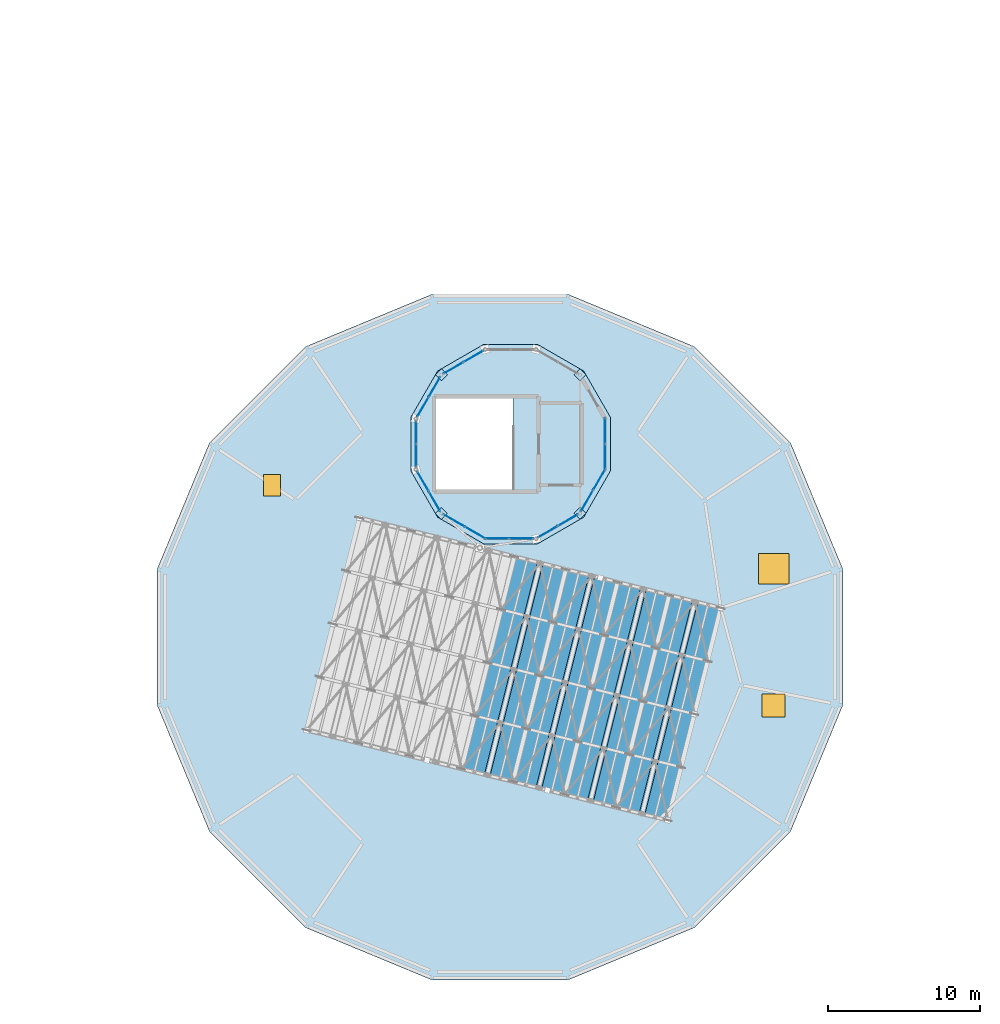
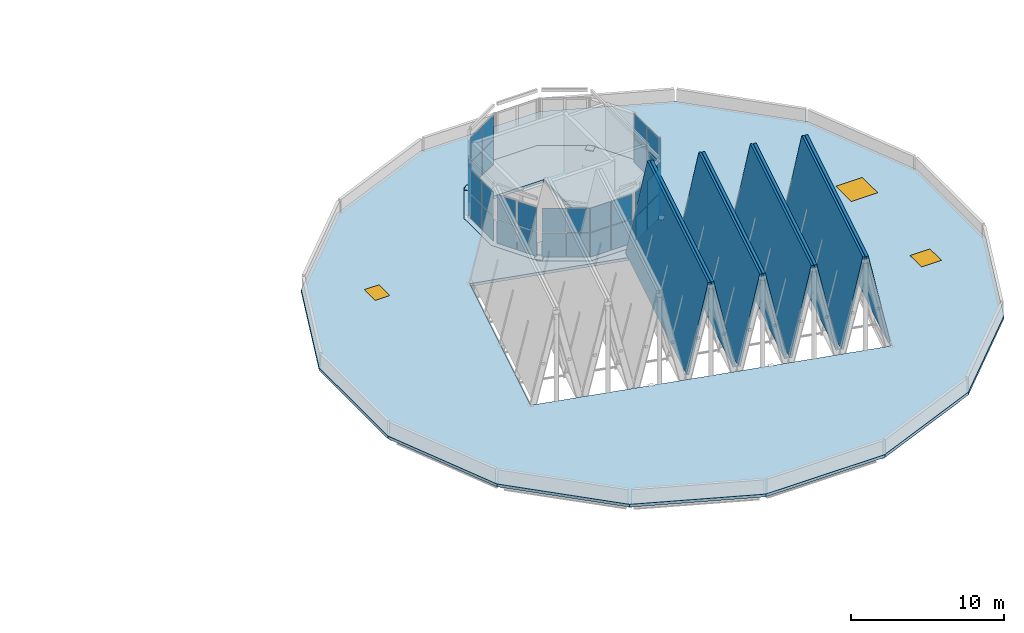
# One storey, part 20 of 51: 40 plates, 10 slabs, 3 windows, 3 openings, 9 elements without a shape of their own.
"""IFC4 building model written with IfcOpenShell, lengths in metres."""

from ifc_helpers import new_model, si_unit, direction, frame, origin, origin_2d, place, context, subcontext, project, spatial, polyline, rectangle, outline, extrude, material, layer, layer_set, type_object, element, fill, aggregate, save


model = new_model("IFC4")

# Units and contexts
model_context = context("Model", 3, precision=1e-05, world=origin(), true_north=direction((0.0, 1.0)))
body_context = subcontext(model_context, "Body", "Model", "MODEL_VIEW")
ifc_project = project(units=[si_unit("LENGTHUNIT", "METRE"), si_unit("AREAUNIT", "SQUARE_METRE"), si_unit("VOLUMEUNIT", "CUBIC_METRE"), si_unit("PLANEANGLEUNIT", "RADIAN"), si_unit("MASSUNIT", "GRAM", prefix="KILO")], contexts=[model_context])

# Site, building, storey
site_placement = place(None, origin())
site = spatial("IfcSite", under=ifc_project, at=site_placement, CompositionType="ELEMENT")
building_placement = place(site_placement, origin())
building = spatial("IfcBuilding", under=site, at=building_placement, Name="Wrenclough Park School", CompositionType="ELEMENT")
storey_placement = place(building_placement, frame((0.0, 0.0, 16.800048828125)))
storey = spatial("IfcBuildingStorey", under=building, at=storey_placement, Name="L04", CompositionType="ELEMENT", Elevation=16.800048828125)

# Curtain wall, plates
ifc_material_1 = material(Name="Thermally broken aluminium and low-e glass curtain wall", Category="aluminium")
curtain_wall_type = type_object("IfcCurtainWallType", Name="ENV-CW-16", PredefinedType="USERDEFINED", material=ifc_material_1)
curtain_wall_1_placement = place(storey_placement, origin())
curtain_wall_1 = element("IfcCurtainWall", 1, at=curtain_wall_1_placement, inside=storey, type_object=curtain_wall_type, Name="D1-SH cylindrical white-glazed stair-head curtain wall 181", ObjectType="CURTAIN WALL", PredefinedType="USERDEFINED")
ifc_material_2 = material(Name="White ceramic-fritted translucent glass", Category="glass")
ifc_layer_1 = layer(ifc_material_2, 0.031982421875)
ifc_layer_set_1 = layer_set([ifc_layer_1], Name="White ceramic-fritted translucent glass")
plate_type_1 = type_object("IfcPlateType", Name="ENV-CWP-WH32", PredefinedType="CURTAIN_PANEL", material=ifc_layer_set_1)
plate_1_placement = place(storey_placement, frame((153.746826171875, 44.9638671875, 0.06005859375), z_axis=(0.0, 0.0, 1.0), x_axis=(-0.866023907196, -0.500002592159, 0.0)))
plate_1 = element("IfcPlate", 2, at=plate_1_placement, type_object=plate_type_1, Name="CW-16 panel 1.1", PredefinedType="CURTAIN_PANEL", context=body_context, shape_type="SweptSolid", body=[
    extrude(rectangle(XDim=1.455078125, YDim=0.031982421875, at=origin_2d()), origin(), (0.0, 0.0, 1.0), 1.909912109375),
])
plate_2_placement = place(storey_placement, frame((153.746826171875, 44.9638671875, 2.02978515625), z_axis=(0.0, 0.0, 1.0), x_axis=(-0.866023907196, -0.500002592159, 0.0)))
plate_2 = element("IfcPlate", 3, at=plate_2_placement, type_object=plate_type_1, Name="CW-16 panel 1.2", PredefinedType="CURTAIN_PANEL", context=body_context, shape_type="SweptSolid", body=[
    extrude(rectangle(XDim=1.455078125, YDim=0.031982421875, at=origin_2d()), origin(), (0.0, 0.0, 1.0), 1.909912109375),
])
plate_3_placement = place(storey_placement, frame((152.434814453125, 44.20654296875, 0.06005859375), z_axis=(0.0, 0.0, 1.0), x_axis=(-0.866023907196, -0.500002592159, 0.0)))
plate_3 = element("IfcPlate", 4, at=plate_3_placement, type_object=plate_type_1, Name="CW-16 panel 2.1", PredefinedType="CURTAIN_PANEL", context=body_context, shape_type="SweptSolid", body=[
    extrude(rectangle(XDim=1.455078125, YDim=0.031982421875, at=origin_2d()), origin(), (0.0, 0.0, 1.0), 1.909912109375),
])
plate_4_placement = place(storey_placement, frame((152.434814453125, 44.20654296875, 2.02978515625), z_axis=(0.0, 0.0, 1.0), x_axis=(-0.866023907196, -0.500002592159, 0.0)))
plate_4 = element("IfcPlate", 5, at=plate_4_placement, type_object=plate_type_1, Name="CW-16 panel 2.2", PredefinedType="CURTAIN_PANEL", context=body_context, shape_type="SweptSolid", body=[
    extrude(rectangle(XDim=1.455078125, YDim=0.031982421875, at=origin_2d()), origin(), (0.0, 0.0, 1.0), 1.909912109375),
])
aggregate(curtain_wall_1, [plate_1, plate_2, plate_3, plate_4])

curtain_wall_2_placement = place(storey_placement, origin())
curtain_wall_2 = element("IfcCurtainWall", 6, at=curtain_wall_2_placement, inside=storey, type_object=curtain_wall_type, Name="D1-SH cylindrical white-glazed stair-head curtain wall 182", ObjectType="CURTAIN WALL", PredefinedType="USERDEFINED")
plate_5_placement = place(storey_placement, frame((151.193603515625, 42.965087890625, 0.06005859375), z_axis=(0.0, 0.0, 1.0), x_axis=(-0.500002592159, -0.866023907196, 0.0)))
plate_5 = element("IfcPlate", 7, at=plate_5_placement, type_object=plate_type_1, Name="CW-16 panel 1.1", PredefinedType="CURTAIN_PANEL", context=body_context, shape_type="SweptSolid", body=[
    extrude(rectangle(XDim=1.455078125, YDim=0.031982421875, at=origin_2d()), origin(), (0.0, 0.0, 1.0), 1.909912109375),
])
plate_6_placement = place(storey_placement, frame((151.193603515625, 42.965087890625, 2.02978515625), z_axis=(0.0, 0.0, 1.0), x_axis=(-0.500002592159, -0.866023907196, 0.0)))
plate_6 = element("IfcPlate", 8, at=plate_6_placement, type_object=plate_type_1, Name="CW-16 panel 1.2", PredefinedType="CURTAIN_PANEL", context=body_context, shape_type="SweptSolid", body=[
    extrude(rectangle(XDim=1.455078125, YDim=0.031982421875, at=origin_2d()), origin(), (0.0, 0.0, 1.0), 1.909912109375),
])
plate_7_placement = place(storey_placement, frame((150.43603515625, 41.653076171875, 0.06005859375), z_axis=(0.0, 0.0, 1.0), x_axis=(-0.500002592159, -0.866023907196, 0.0)))
plate_7 = element("IfcPlate", 9, at=plate_7_placement, type_object=plate_type_1, Name="CW-16 panel 2.1", PredefinedType="CURTAIN_PANEL", context=body_context, shape_type="SweptSolid", body=[
    extrude(rectangle(XDim=1.455078125, YDim=0.031982421875, at=origin_2d()), origin(), (0.0, 0.0, 1.0), 1.909912109375),
])
plate_8_placement = place(storey_placement, frame((150.43603515625, 41.653076171875, 2.02978515625), z_axis=(0.0, 0.0, 1.0), x_axis=(-0.500002592159, -0.866023907196, 0.0)))
plate_8 = element("IfcPlate", 10, at=plate_8_placement, type_object=plate_type_1, Name="CW-16 panel 2.2", PredefinedType="CURTAIN_PANEL", context=body_context, shape_type="SweptSolid", body=[
    extrude(rectangle(XDim=1.455078125, YDim=0.031982421875, at=origin_2d()), origin(), (0.0, 0.0, 1.0), 1.909912109375),
])
aggregate(curtain_wall_2, [plate_5, plate_6, plate_7, plate_8])

curtain_wall_3_placement = place(storey_placement, origin())
curtain_wall_3 = element("IfcCurtainWall", 11, at=curtain_wall_3_placement, inside=storey, type_object=curtain_wall_type, Name="D1-SH cylindrical white-glazed stair-head curtain wall 183", ObjectType="CURTAIN WALL", PredefinedType="USERDEFINED")
plate_9_placement = place(storey_placement, frame((149.981689453125, 39.957275390625, 0.06005859375), z_axis=(0.0, 0.0, 1.0), x_axis=(0.0, -1.0, 0.0)))
plate_9 = element("IfcPlate", 12, at=plate_9_placement, type_object=plate_type_1, Name="CW-16 panel 1.1", PredefinedType="CURTAIN_PANEL", context=body_context, shape_type="SweptSolid", body=[
    extrude(rectangle(XDim=1.45458984375, YDim=0.031982421875, at=origin_2d()), origin(), (0.0, 0.0, 1.0), 1.909912109375),
])
plate_10_placement = place(storey_placement, frame((149.981689453125, 39.957275390625, 2.02978515625), z_axis=(0.0, 0.0, 1.0), x_axis=(0.0, -1.0, 0.0)))
plate_10 = element("IfcPlate", 13, at=plate_10_placement, type_object=plate_type_1, Name="CW-16 panel 1.2", PredefinedType="CURTAIN_PANEL", context=body_context, shape_type="SweptSolid", body=[
    extrude(rectangle(XDim=1.45458984375, YDim=0.031982421875, at=origin_2d()), origin(), (0.0, 0.0, 1.0), 1.909912109375),
])
plate_11_placement = place(storey_placement, frame((149.981689453125, 38.44287109375, 0.06005859375), z_axis=(0.0, 0.0, 1.0), x_axis=(0.0, -1.0, 0.0)))
plate_11 = element("IfcPlate", 14, at=plate_11_placement, type_object=plate_type_1, Name="CW-16 panel 2.1", PredefinedType="CURTAIN_PANEL", context=body_context, shape_type="SweptSolid", body=[
    extrude(rectangle(XDim=1.45458984375, YDim=0.031982421875, at=origin_2d()), origin(), (0.0, 0.0, 1.0), 1.909912109375),
])
plate_12_placement = place(storey_placement, frame((149.981689453125, 38.44287109375, 2.02978515625), z_axis=(0.0, 0.0, 1.0), x_axis=(0.0, -1.0, 0.0)))
plate_12 = element("IfcPlate", 15, at=plate_12_placement, type_object=plate_type_1, Name="CW-16 panel 2.2", PredefinedType="CURTAIN_PANEL", context=body_context, shape_type="SweptSolid", body=[
    extrude(rectangle(XDim=1.45458984375, YDim=0.031982421875, at=origin_2d()), origin(), (0.0, 0.0, 1.0), 1.909912109375),
])
aggregate(curtain_wall_3, [plate_9, plate_10, plate_11, plate_12])

curtain_wall_4_placement = place(storey_placement, origin())
curtain_wall_4 = element("IfcCurtainWall", 16, at=curtain_wall_4_placement, inside=storey, type_object=curtain_wall_type, Name="D1-SH cylindrical white-glazed stair-head curtain wall 184", ObjectType="CURTAIN WALL", PredefinedType="USERDEFINED")
plate_13_placement = place(storey_placement, frame((150.43603515625, 36.746826171875, 0.06005859375), z_axis=(0.0, 0.0, 1.0), x_axis=(0.500002592159, -0.866023907196, 0.0)))
plate_13 = element("IfcPlate", 17, at=plate_13_placement, type_object=plate_type_1, Name="CW-16 panel 1.1", PredefinedType="CURTAIN_PANEL", context=body_context, shape_type="SweptSolid", body=[
    extrude(rectangle(XDim=1.455078125, YDim=0.031982421875, at=origin_2d()), origin(), (0.0, 0.0, 1.0), 1.909912109375),
])
plate_14_placement = place(storey_placement, frame((150.43603515625, 36.746826171875, 2.02978515625), z_axis=(0.0, 0.0, 1.0), x_axis=(0.500002592159, -0.866023907196, 0.0)))
plate_14 = element("IfcPlate", 18, at=plate_14_placement, type_object=plate_type_1, Name="CW-16 panel 1.2", PredefinedType="CURTAIN_PANEL", context=body_context, shape_type="SweptSolid", body=[
    extrude(rectangle(XDim=1.455078125, YDim=0.031982421875, at=origin_2d()), origin(), (0.0, 0.0, 1.0), 1.909912109375),
])
plate_15_placement = place(storey_placement, frame((151.193603515625, 35.434814453125, 0.06005859375), z_axis=(0.0, 0.0, 1.0), x_axis=(0.500002592159, -0.866023907196, 0.0)))
plate_15 = element("IfcPlate", 19, at=plate_15_placement, type_object=plate_type_1, Name="CW-16 panel 2.1", PredefinedType="CURTAIN_PANEL", context=body_context, shape_type="SweptSolid", body=[
    extrude(rectangle(XDim=1.455078125, YDim=0.031982421875, at=origin_2d()), origin(), (0.0, 0.0, 1.0), 1.909912109375),
])
plate_16_placement = place(storey_placement, frame((151.193603515625, 35.434814453125, 2.02978515625), z_axis=(0.0, 0.0, 1.0), x_axis=(0.500002592159, -0.866023907196, 0.0)))
plate_16 = element("IfcPlate", 20, at=plate_16_placement, type_object=plate_type_1, Name="CW-16 panel 2.2", PredefinedType="CURTAIN_PANEL", context=body_context, shape_type="SweptSolid", body=[
    extrude(rectangle(XDim=1.455078125, YDim=0.031982421875, at=origin_2d()), origin(), (0.0, 0.0, 1.0), 1.909912109375),
])
aggregate(curtain_wall_4, [plate_13, plate_14, plate_15, plate_16])

curtain_wall_5_placement = place(storey_placement, origin())
curtain_wall_5 = element("IfcCurtainWall", 21, at=curtain_wall_5_placement, inside=storey, type_object=curtain_wall_type, Name="D1-SH cylindrical white-glazed stair-head curtain wall 185", ObjectType="CURTAIN WALL", PredefinedType="USERDEFINED")
plate_17_placement = place(storey_placement, frame((152.4814453125, 34.166748046875, 0.06005859375), z_axis=(0.0, 0.0, 1.0), x_axis=(0.86601678316, -0.500014931062, 0.0)))
plate_17 = element("IfcPlate", 22, at=plate_17_placement, type_object=plate_type_1, Name="CW-16 panel 1.1", PredefinedType="CURTAIN_PANEL", context=body_context, shape_type="SweptSolid", body=[
    extrude(rectangle(XDim=1.5625, YDim=0.031982421875, at=origin_2d()), origin(), (0.0, 0.0, 1.0), 1.909912109375),
])
plate_18_placement = place(storey_placement, frame((152.4814453125, 34.166748046875, 2.02978515625), z_axis=(0.0, 0.0, 1.0), x_axis=(0.86601678316, -0.500014931062, 0.0)))
plate_18 = element("IfcPlate", 23, at=plate_18_placement, type_object=plate_type_1, Name="CW-16 panel 1.2", PredefinedType="CURTAIN_PANEL", context=body_context, shape_type="SweptSolid", body=[
    extrude(rectangle(XDim=1.5625, YDim=0.031982421875, at=origin_2d()), origin(), (0.0, 0.0, 1.0), 1.909912109375),
])
plate_19_placement = place(storey_placement, frame((153.886474609375, 33.35546875, 0.06005859375), z_axis=(0.0, 0.0, 1.0), x_axis=(0.86601678316, -0.500014931062, 0.0)))
plate_19 = element("IfcPlate", 24, at=plate_19_placement, type_object=plate_type_1, Name="CW-16 panel 2.1", PredefinedType="CURTAIN_PANEL", context=body_context, shape_type="SweptSolid", body=[
    extrude(rectangle(XDim=1.5625, YDim=0.031982421875, at=origin_2d()), origin(), (0.0, 0.0, 1.0), 1.909912109375),
])
plate_20_placement = place(storey_placement, frame((153.886474609375, 33.35546875, 2.02978515625), z_axis=(0.0, 0.0, 1.0), x_axis=(0.86601678316, -0.500014931062, 0.0)))
plate_20 = element("IfcPlate", 25, at=plate_20_placement, type_object=plate_type_1, Name="CW-16 panel 2.2", PredefinedType="CURTAIN_PANEL", context=body_context, shape_type="SweptSolid", body=[
    extrude(rectangle(XDim=1.5625, YDim=0.031982421875, at=origin_2d()), origin(), (0.0, 0.0, 1.0), 1.909912109375),
])
aggregate(curtain_wall_5, [plate_17, plate_18, plate_19, plate_20])

curtain_wall_6_placement = place(storey_placement, origin())
curtain_wall_6 = element("IfcCurtainWall", 26, at=curtain_wall_6_placement, inside=storey, type_object=curtain_wall_type, Name="D1-SH cylindrical white-glazed stair-head curtain wall 186", ObjectType="CURTAIN WALL", PredefinedType="USERDEFINED")
plate_21_placement = place(storey_placement, frame((155.281005859375, 32.981689453125, 0.06005859375), z_axis=(0.0, 0.0, 1.0), x_axis=(1.0, 0.0, 0.0)))
plate_21 = element("IfcPlate", 27, at=plate_21_placement, type_object=plate_type_1, Name="CW-16 panel 1.1", PredefinedType="CURTAIN_PANEL", context=body_context, shape_type="SweptSolid", body=[
    extrude(rectangle(XDim=1.562255859375, YDim=0.031982421875, at=origin_2d()), origin(), (0.0, 0.0, 1.0), 1.909912109375),
])
plate_22_placement = place(storey_placement, frame((155.281005859375, 32.981689453125, 2.02978515625), z_axis=(0.0, 0.0, 1.0), x_axis=(1.0, 0.0, 0.0)))
plate_22 = element("IfcPlate", 28, at=plate_22_placement, type_object=plate_type_1, Name="CW-16 panel 1.2", PredefinedType="CURTAIN_PANEL", context=body_context, shape_type="SweptSolid", body=[
    extrude(rectangle(XDim=1.562255859375, YDim=0.031982421875, at=origin_2d()), origin(), (0.0, 0.0, 1.0), 1.909912109375),
])
plate_23_placement = place(storey_placement, frame((156.9033203125, 32.981689453125, 0.06005859375), z_axis=(0.0, 0.0, 1.0), x_axis=(1.0, 0.0, 0.0)))
plate_23 = element("IfcPlate", 29, at=plate_23_placement, type_object=plate_type_1, Name="CW-16 panel 2.1", PredefinedType="CURTAIN_PANEL", context=body_context, shape_type="SweptSolid", body=[
    extrude(rectangle(XDim=1.562255859375, YDim=0.031982421875, at=origin_2d()), origin(), (0.0, 0.0, 1.0), 1.909912109375),
])
plate_24_placement = place(storey_placement, frame((156.9033203125, 32.981689453125, 2.02978515625), z_axis=(0.0, 0.0, 1.0), x_axis=(1.0, 0.0, 0.0)))
plate_24 = element("IfcPlate", 30, at=plate_24_placement, type_object=plate_type_1, Name="CW-16 panel 2.2", PredefinedType="CURTAIN_PANEL", context=body_context, shape_type="SweptSolid", body=[
    extrude(rectangle(XDim=1.562255859375, YDim=0.031982421875, at=origin_2d()), origin(), (0.0, 0.0, 1.0), 1.909912109375),
])
aggregate(curtain_wall_6, [plate_21, plate_22, plate_23, plate_24])

curtain_wall_7_placement = place(storey_placement, origin())
curtain_wall_7 = element("IfcCurtainWall", 31, at=curtain_wall_7_placement, inside=storey, type_object=curtain_wall_type, Name="D1-SH cylindrical white-glazed stair-head curtain wall 187", ObjectType="CURTAIN WALL", PredefinedType="USERDEFINED")
plate_25_placement = place(storey_placement, frame((158.653076171875, 33.43603515625, 0.06005859375), z_axis=(0.0, 0.0, 1.0), x_axis=(0.866023907196, 0.500002592159, 0.0)))
plate_25 = element("IfcPlate", 32, at=plate_25_placement, type_object=plate_type_1, Name="CW-16 panel 1.1", PredefinedType="CURTAIN_PANEL", context=body_context, shape_type="SweptSolid", body=[
    extrude(rectangle(XDim=1.455078125, YDim=0.031982421875, at=origin_2d()), origin(), (0.0, 0.0, 1.0), 1.909912109375),
])
plate_26_placement = place(storey_placement, frame((158.653076171875, 33.43603515625, 2.02978515625), z_axis=(0.0, 0.0, 1.0), x_axis=(0.866023907196, 0.500002592159, 0.0)))
plate_26 = element("IfcPlate", 33, at=plate_26_placement, type_object=plate_type_1, Name="CW-16 panel 1.2", PredefinedType="CURTAIN_PANEL", context=body_context, shape_type="SweptSolid", body=[
    extrude(rectangle(XDim=1.455078125, YDim=0.031982421875, at=origin_2d()), origin(), (0.0, 0.0, 1.0), 1.909912109375),
])
plate_27_placement = place(storey_placement, frame((159.965087890625, 34.193603515625, 0.06005859375), z_axis=(0.0, 0.0, 1.0), x_axis=(0.866023907196, 0.500002592159, 0.0)))
plate_27 = element("IfcPlate", 34, at=plate_27_placement, type_object=plate_type_1, Name="CW-16 panel 2.1", PredefinedType="CURTAIN_PANEL", context=body_context, shape_type="SweptSolid", body=[
    extrude(rectangle(XDim=1.455078125, YDim=0.031982421875, at=origin_2d()), origin(), (0.0, 0.0, 1.0), 1.909912109375),
])
plate_28_placement = place(storey_placement, frame((159.965087890625, 34.193603515625, 2.02978515625), z_axis=(0.0, 0.0, 1.0), x_axis=(0.866023907196, 0.500002592159, 0.0)))
plate_28 = element("IfcPlate", 35, at=plate_28_placement, type_object=plate_type_1, Name="CW-16 panel 2.2", PredefinedType="CURTAIN_PANEL", context=body_context, shape_type="SweptSolid", body=[
    extrude(rectangle(XDim=1.455078125, YDim=0.031982421875, at=origin_2d()), origin(), (0.0, 0.0, 1.0), 1.909912109375),
])
aggregate(curtain_wall_7, [plate_25, plate_26, plate_27, plate_28])

curtain_wall_8_placement = place(storey_placement, origin())
curtain_wall_8 = element("IfcCurtainWall", 36, at=curtain_wall_8_placement, inside=storey, type_object=curtain_wall_type, Name="D1-SH cylindrical white-glazed stair-head curtain wall 188", ObjectType="CURTAIN WALL", PredefinedType="USERDEFINED")
plate_29_placement = place(storey_placement, frame((161.2333984375, 35.4814453125, 0.06005859375), z_axis=(0.0, 0.0, 1.0), x_axis=(0.500014931062, 0.86601678316, 0.0)))
plate_29 = element("IfcPlate", 37, at=plate_29_placement, type_object=plate_type_1, Name="CW-16 panel 1.1", PredefinedType="CURTAIN_PANEL", context=body_context, shape_type="SweptSolid", body=[
    extrude(rectangle(XDim=1.5625, YDim=0.031982421875, at=origin_2d()), origin(), (0.0, 0.0, 1.0), 1.909912109375),
])
plate_30_placement = place(storey_placement, frame((161.2333984375, 35.4814453125, 2.02978515625), z_axis=(0.0, 0.0, 1.0), x_axis=(0.500014931062, 0.86601678316, 0.0)))
plate_30 = element("IfcPlate", 38, at=plate_30_placement, type_object=plate_type_1, Name="CW-16 panel 1.2", PredefinedType="CURTAIN_PANEL", context=body_context, shape_type="SweptSolid", body=[
    extrude(rectangle(XDim=1.5625, YDim=0.031982421875, at=origin_2d()), origin(), (0.0, 0.0, 1.0), 1.909912109375),
])
plate_31_placement = place(storey_placement, frame((162.044677734375, 36.886474609375, 0.06005859375), z_axis=(0.0, 0.0, 1.0), x_axis=(0.500014931062, 0.86601678316, 0.0)))
plate_31 = element("IfcPlate", 39, at=plate_31_placement, type_object=plate_type_1, Name="CW-16 panel 2.1", PredefinedType="CURTAIN_PANEL", context=body_context, shape_type="SweptSolid", body=[
    extrude(rectangle(XDim=1.5625, YDim=0.031982421875, at=origin_2d()), origin(), (0.0, 0.0, 1.0), 1.909912109375),
])
plate_32_placement = place(storey_placement, frame((162.044677734375, 36.886474609375, 2.02978515625), z_axis=(0.0, 0.0, 1.0), x_axis=(0.500014931062, 0.86601678316, 0.0)))
plate_32 = element("IfcPlate", 40, at=plate_32_placement, type_object=plate_type_1, Name="CW-16 panel 2.2", PredefinedType="CURTAIN_PANEL", context=body_context, shape_type="SweptSolid", body=[
    extrude(rectangle(XDim=1.5625, YDim=0.031982421875, at=origin_2d()), origin(), (0.0, 0.0, 1.0), 1.909912109375),
])
aggregate(curtain_wall_8, [plate_29, plate_30, plate_31, plate_32])

curtain_wall_9_placement = place(storey_placement, origin())
curtain_wall_9 = element("IfcCurtainWall", 41, at=curtain_wall_9_placement, inside=storey, type_object=curtain_wall_type, Name="D1-SH cylindrical white-glazed stair-head curtain wall 189", ObjectType="CURTAIN WALL", PredefinedType="USERDEFINED")
plate_33_placement = place(storey_placement, frame((162.418212890625, 38.3349609375, 0.06005859375), z_axis=(0.0, 0.0, 1.0), x_axis=(0.0, 1.0, 0.0)))
plate_33 = element("IfcPlate", 42, at=plate_33_placement, type_object=plate_type_1, Name="CW-16 panel 1.1", PredefinedType="CURTAIN_PANEL", context=body_context, shape_type="SweptSolid", body=[
    extrude(rectangle(XDim=1.669921875, YDim=0.031982421875, at=origin_2d()), origin(), (0.0, 0.0, 1.0), 1.909912109375),
])
plate_34_placement = place(storey_placement, frame((162.418212890625, 38.3349609375, 2.02978515625), z_axis=(0.0, 0.0, 1.0), x_axis=(0.0, 1.0, 0.0)))
plate_34 = element("IfcPlate", 43, at=plate_34_placement, type_object=plate_type_1, Name="CW-16 panel 1.2", PredefinedType="CURTAIN_PANEL", context=body_context, shape_type="SweptSolid", body=[
    extrude(rectangle(XDim=1.669921875, YDim=0.031982421875, at=origin_2d()), origin(), (0.0, 0.0, 1.0), 1.909912109375),
])
plate_35_placement = place(storey_placement, frame((162.418212890625, 40.06494140625, 0.06005859375), z_axis=(0.0, 0.0, 1.0), x_axis=(0.0, 1.0, 0.0)))
plate_35 = element("IfcPlate", 44, at=plate_35_placement, type_object=plate_type_1, Name="CW-16 panel 2.1", PredefinedType="CURTAIN_PANEL", context=body_context, shape_type="SweptSolid", body=[
    extrude(rectangle(XDim=1.669921875, YDim=0.031982421875, at=origin_2d()), origin(), (0.0, 0.0, 1.0), 1.909912109375),
])
plate_36_placement = place(storey_placement, frame((162.418212890625, 40.06494140625, 2.02978515625), z_axis=(0.0, 0.0, 1.0), x_axis=(0.0, 1.0, 0.0)))
plate_36 = element("IfcPlate", 45, at=plate_36_placement, type_object=plate_type_1, Name="CW-16 panel 2.2", PredefinedType="CURTAIN_PANEL", context=body_context, shape_type="SweptSolid", body=[
    extrude(rectangle(XDim=1.669921875, YDim=0.031982421875, at=origin_2d()), origin(), (0.0, 0.0, 1.0), 1.909912109375),
])
aggregate(curtain_wall_9, [plate_33, plate_34, plate_35, plate_36])

# Plates
ifc_material_3 = material(Name="Structural steel S355", Category="steel")
ifc_layer_2 = layer(ifc_material_3, 0.030029296875)
ifc_layer_set_2 = layer_set([ifc_layer_2], Name="Structural steel S355")
plate_type_2 = type_object("IfcPlateType", Name="STR-PL-KN4", PredefinedType="USERDEFINED", material=ifc_layer_set_2)
for number, where, z_axis, x_axis, name in (
    (46, (160.7607421875, 43.7607421875, 0.0), (0.0, 0.0, 1.0), (-0.707106781187, 0.707106781187, 0.0), "D1-SH cylindrical column baseplate 2"),
    (47, (151.63916015625, 43.7607421875, 0.0), (0.0, 0.0, 1.0), (-0.707106781187, -0.707106781187, 0.0), "D1-SH cylindrical column baseplate 5"),
    (48, (151.63916015625, 34.63916015625, 0.0), (0.0, 0.0, 1.0), (0.707106781187, -0.707106781187, 0.0), "D1-SH cylindrical column baseplate 8"),
    (49, (160.7607421875, 34.63916015625, 0.0), (0.0, 0.0, 1.0), (0.707106781187, 0.707106781187, 0.0), "D1-SH cylindrical column baseplate 11"),
):
    element("IfcPlate", number, at=place(storey_placement, frame(where, z_axis=z_axis, x_axis=x_axis)), inside=storey, type_object=plate_type_2, Name=name, ObjectType="GUSSET PLATE", PredefinedType="USERDEFINED", context=body_context, shape_type="SweptSolid", body=[
        extrude(rectangle(XDim=0.56005859375, YDim=0.56005859375, at=origin_2d()), origin(), (0.0, 0.0, 1.0), 0.030029296875),
    ])

# Slabs
ifc_material_4 = material(Name="Concrete C32/40", Category="concrete")
ifc_layer_3 = layer(ifc_material_4, 0.239990234375)
ifc_layer_set_3 = layer_set([ifc_layer_3], Name="Concrete C32/40")
slab_type_1 = type_object("IfcSlabType", Name="STR-SL-FL240", PredefinedType="FLOOR", material=ifc_layer_set_3)
slab_1_placement = place(storey_placement, frame((0.0, 0.0, -0.239990234375)))
element("IfcSlab", 50, at=slab_1_placement, inside=storey, type_object=slab_type_1, Name="D1 L04 structural slab SLAB-D1SH-L04-FLOOR", PredefinedType="FLOOR", context=body_context, shape_type="SweptSolid", body=[
    extrude(outline(polyline([(162.768310546875, 40.9599609375), (161.00830078125, 44.00830078125), (157.9599609375, 45.768310546875), (154.43994140625, 45.768310546875), (151.3916015625, 44.00830078125), (149.631591796875, 40.9599609375), (149.631591796875, 37.43994140625), (151.3916015625, 34.3916015625), (154.43994140625, 32.631591796875), (157.9599609375, 32.631591796875), (161.00830078125, 34.3916015625), (162.768310546875, 37.43994140625), (162.768310546875, 40.9599609375)]), holes=[polyline([(151.300048828125, 36.199951171875), (156.35205078125, 36.199951171875), (156.35205078125, 42.199951171875), (151.300048828125, 42.199951171875), (151.300048828125, 36.199951171875)])]), origin(), (0.0, 0.0, 1.0), 0.239990234375),
])
ifc_layer_4 = layer(ifc_material_4, 0.179931640625)
ifc_layer_set_4 = layer_set([ifc_layer_4], Name="Concrete C32/40")
slab_type_2 = type_object("IfcSlabType", Name="STR-SL-RF180", PredefinedType="ROOF", material=ifc_layer_set_4)
for number, where, z_axis, x_axis, name in (
    (51, (153.037841796875, 17.81787109375, 0.384033203125), (-0.949901960312, 0.236836468141, 0.203947917749), (0.197892192384, -0.049329843291, 0.978981739745), "D1 folded-plate roof bay 4 west facet"),
    (52, (154.8447265625, 17.367431640625, 7.477294921875), (0.949901960312, -0.236836468141, 0.203947917749), (0.197892192384, -0.049329843291, -0.978981739745), "D1 folded-plate roof bay 4 east facet"),
):
    element("IfcSlab", number, at=place(storey_placement, frame(where, z_axis=z_axis, x_axis=x_axis)), inside=storey, type_object=slab_type_2, Name=name, PredefinedType="ROOF", context=body_context, shape_type="SweptSolid", body=[
        extrude(outline(polyline([(0.0, 0.0), (7.2455505866707375, -4.0793106739767104e-18), (7.245691397599102, 14.399904282295115), (0.0001408109283644876, 14.399904282295115), (0.0, 0.0)])), origin(), (0.0, 0.0, -1.0), 0.179931640625),
    ])
slab_2_placement = place(storey_placement, frame((156.433837890625, 16.97119140625, 0.384033203125), z_axis=(-0.9499016564, 0.236834323222, 0.203951823997), x_axis=(0.197888073149, -0.049362511471, 0.978980925742)))
element("IfcSlab", 53, at=slab_2_placement, inside=storey, type_object=slab_type_2, Name="D1 folded-plate roof bay 5 west facet", PredefinedType="ROOF", context=body_context, shape_type="SweptSolid", body=[
    extrude(outline(polyline([(0.0, 0.0), (7.245562634135006, -2.6725583551767684e-17), (7.2452205984353935, 14.400141167659097), (-0.0003299843052110285, 14.399904279173645), (0.0, 0.0)])), origin(), (0.0, 0.0, -1.0), 0.179931640625),
])
slab_3_placement = place(storey_placement, frame((158.24072265625, 16.5205078125, 7.477294921875), z_axis=(0.949902931692, -0.236832572073, 0.203947917785), x_axis=(0.197892192384, -0.049329843291, -0.978981739745)))
element("IfcSlab", 54, at=slab_3_placement, inside=storey, type_object=slab_type_2, Name="D1 folded-plate roof bay 5 east facet", PredefinedType="ROOF", context=body_context, shape_type="SweptSolid", body=[
    extrude(outline(polyline([(0.0, 0.0), (7.2455505866707375, -1.0299920638612292e-17), (7.2456793541803295, 14.400141171174447), (0.00012876750959212035, 14.400141171174447), (0.0, 0.0)])), origin(), (0.0, 0.0, -1.0), 0.179931640625),
])
slab_4_placement = place(storey_placement, frame((159.829833984375, 16.12451171875, 0.384033203125), z_axis=(-0.9499016564, 0.236834323222, 0.203951823997), x_axis=(0.197888073149, -0.049362511471, 0.978980925742)))
element("IfcSlab", 55, at=slab_4_placement, inside=storey, type_object=slab_type_2, Name="D1 folded-plate roof bay 6 west facet", PredefinedType="ROOF", context=body_context, shape_type="SweptSolid", body=[
    extrude(outline(polyline([(0.0, 0.0), (7.245562634135006, -2.6725583551767684e-17), (7.2452205984353935, 14.400141167659097), (-0.0003299843052110285, 14.399904279173645), (0.0, 0.0)])), origin(), (0.0, 0.0, -1.0), 0.179931640625),
])
slab_5_placement = place(storey_placement, frame((161.63671875, 15.673828125, 7.477294921875), z_axis=(0.949902931692, -0.236832572073, 0.203947917785), x_axis=(0.197892192384, -0.049329843291, -0.978981739745)))
element("IfcSlab", 56, at=slab_5_placement, inside=storey, type_object=slab_type_2, Name="D1 folded-plate roof bay 6 east facet", PredefinedType="ROOF", context=body_context, shape_type="SweptSolid", body=[
    extrude(outline(polyline([(0.0, 0.0), (7.2455505866707375, -1.0299920638612292e-17), (7.2456793541803295, 14.400141171174447), (0.00012876750959212035, 14.400141171174447), (0.0, 0.0)])), origin(), (0.0, 0.0, -1.0), 0.179931640625),
])
slab_6_placement = place(storey_placement, frame((163.225830078125, 15.277587890625, 0.384033203125), z_axis=(-0.949895321943, 0.236832743883, 0.203983158068), x_axis=(0.197928357882, -0.049330459307, 0.978974397485)))
element("IfcSlab", 57, at=slab_6_placement, inside=storey, type_object=slab_type_2, Name="D1 folded-plate roof bay 7 west facet", PredefinedType="ROOF", context=body_context, shape_type="SweptSolid", body=[
    extrude(outline(polyline([(0.0, 0.0), (7.245598904088677, 1.8472094513721782e-17), (7.245857095611763, 14.399904280639861), (0.00024614795392008393, 14.400141169617395), (0.0, 0.0)])), origin(), (0.0, 0.0, -1.0), 0.179931640625),
])
slab_7_placement = place(storey_placement, frame((165.03271484375, 14.8271484375, 7.477294921875), z_axis=(0.949900437285, -0.236825720366, 0.203967491081), x_axis=(0.19791315611, -0.049326669223, -0.97897766182)))
element("IfcSlab", 58, at=slab_7_placement, inside=storey, type_object=slab_type_2, Name="D1 folded-plate roof bay 7 east facet", PredefinedType="ROOF", context=body_context, shape_type="SweptSolid", body=[
    extrude(outline(polyline([(0.0, 0.0), (7.245598903623494, 8.24129176360544e-17), (7.245808774649286, 14.39984522033894), (0.0002461470235676222, 14.400141169383351), (0.0, 0.0)])), origin(), (0.0, 0.0, -1.0), 0.179931640625),
])

# Slab, openings, windows
ifc_layer_5 = layer(ifc_material_4, 0.22509765625)
ifc_layer_set_5 = layer_set([ifc_layer_5], Name="Concrete C32/40")
slab_type_3 = type_object("IfcSlabType", Name="STR-SL-RF225", PredefinedType="ROOF", material=ifc_layer_set_5)
slab_8_placement = place(storey_placement, frame((0.0, 0.0, -0.22509765625)))
slab_8 = element("IfcSlab", 59, at=slab_8_placement, inside=storey, type_object=slab_type_3, Name="D1 L04 structural slab SLAB-D1-ROOF-RING", PredefinedType="ROOF", context=body_context, shape_type="SweptSolid", body=[
    extrude(outline(polyline([(178.05810546875, 30.987060546875), (174.623779296875, 39.278076171875), (168.278076171875, 45.623779296875), (159.987060546875, 49.05810546875), (151.012939453125, 49.05810546875), (142.721923828125, 45.623779296875), (136.376220703125, 39.278076171875), (132.94189453125, 30.987060546875), (132.94189453125, 22.012939453125), (136.376220703125, 13.721923828125), (142.721923828125, 7.376220703125), (151.012939453125, 3.94189453125), (159.987060546875, 3.94189453125), (168.278076171875, 7.376220703125), (174.623779296875, 13.721923828125), (178.05810546875, 22.012939453125), (178.05810546875, 30.987060546875)]), holes=[polyline([(166.544189453125, 14.4501953125), (170.028076171875, 28.422607421875), (146.255615234375, 34.349609375), (142.77197265625, 20.37744140625), (166.544189453125, 14.4501953125)]), polyline([(162.768310546875, 40.9599609375), (161.00830078125, 44.00830078125), (157.9599609375, 45.768310546875), (154.43994140625, 45.768310546875), (151.3916015625, 44.00830078125), (149.631591796875, 40.9599609375), (149.631591796875, 37.43994140625), (151.3916015625, 34.3916015625), (154.43994140625, 32.631591796875), (157.9599609375, 32.631591796875), (161.00830078125, 34.3916015625), (162.768310546875, 37.43994140625), (162.768310546875, 40.9599609375)])]), origin(), (0.0, 0.0, 1.0), 0.22509765625),
])
opening_1_placement = place(slab_8_placement, frame((140.5, 36.5, -0.010009765625)))
opening_1 = element("IfcOpeningElement", 60, at=opening_1_placement, cuts=slab_8, Name="Opening RH-01", PredefinedType="OPENING", context=body_context, shape_type="SweptSolid", body=[
    extrude(rectangle(XDim=1.10009765625, YDim=1.39990234375, at=origin_2d()), origin(), (0.0, 0.0, 1.0), 0.2451171875),
])
opening_2_placement = place(slab_8_placement, frame((173.5, 31.0, -0.010009765625)))
opening_2 = element("IfcOpeningElement", 61, at=opening_2_placement, cuts=slab_8, Name="Opening SK-05", PredefinedType="OPENING", context=body_context, shape_type="SweptSolid", body=[
    extrude(rectangle(XDim=2.0, YDim=2.0, at=origin_2d()), origin(), (0.0, 0.0, 1.0), 0.2451171875),
])
opening_3_placement = place(slab_8_placement, frame((173.5, 22.0, -0.010009765625)))
opening_3 = element("IfcOpeningElement", 62, at=opening_3_placement, cuts=slab_8, Name="Opening SK-02", PredefinedType="OPENING", context=body_context, shape_type="SweptSolid", body=[
    extrude(rectangle(XDim=1.5, YDim=1.5, at=origin_2d()), origin(), (0.0, 0.0, 1.0), 0.2451171875),
])
ifc_material_5 = material(Name="Thermally broken aluminium skylight glazing", Category="aluminium")
window_type_1 = type_object("IfcWindowType", Name="ENV-RH-01", PartitioningType="SINGLE_PANEL", PredefinedType="SKYLIGHT", material=ifc_material_5)
placement_1 = place(slab_8_placement, frame((140.5, 36.5, 0.0)))
window_1_placement = place(placement_1, frame((0.0, 0.0, 0.175048828125)))
window_1 = element("IfcWindow", 63, at=window_1_placement, inside=storey, type_object=window_type_1, Name="Roof skylight or access hatch RH-D1-1", OverallHeight=1.39990234375, OverallWidth=1.10009765625, PartitioningType="SINGLE_PANEL", PredefinedType="SKYLIGHT", context=body_context, shape_type="SweptSolid", body=[
    extrude(rectangle(XDim=1.10009765625, YDim=1.39990234375, at=origin_2d()), origin(), (0.0, 0.0, 1.0), 0.050048828125),
])
fill(opening_1, window_1)
window_type_2 = type_object("IfcWindowType", Name="ENV-SK-02", PartitioningType="SINGLE_PANEL", PredefinedType="SKYLIGHT", material=ifc_material_5)
placement_2 = place(slab_8_placement, frame((173.5, 22.0, 0.0)))
window_2_placement = place(placement_2, frame((0.0, 0.0, 0.175048828125)))
window_2 = element("IfcWindow", 64, at=window_2_placement, inside=storey, type_object=window_type_2, Name="Roof skylight or access hatch SK-D1-3", OverallHeight=1.5, OverallWidth=1.5, PartitioningType="SINGLE_PANEL", PredefinedType="SKYLIGHT", context=body_context, shape_type="SweptSolid", body=[
    extrude(rectangle(XDim=1.5, YDim=1.5, at=origin_2d()), origin(), (0.0, 0.0, 1.0), 0.050048828125),
])
fill(opening_3, window_2)
window_type_3 = type_object("IfcWindowType", Name="ENV-SK-05", PartitioningType="SINGLE_PANEL", PredefinedType="SKYLIGHT", material=ifc_material_5)
placement_3 = place(slab_8_placement, frame((173.5, 31.0, 0.0)))
window_3_placement = place(placement_3, frame((0.0, 0.0, 0.175048828125)))
window_3 = element("IfcWindow", 65, at=window_3_placement, inside=storey, type_object=window_type_3, Name="Roof skylight or access hatch SK-D1-2", OverallHeight=2.0, OverallWidth=2.0, PartitioningType="SINGLE_PANEL", PredefinedType="SKYLIGHT", context=body_context, shape_type="SweptSolid", body=[
    extrude(rectangle(XDim=2.0, YDim=2.0, at=origin_2d()), origin(), (0.0, 0.0, 1.0), 0.050048828125),
])
fill(opening_2, window_3)

save(model, "model.ifc")
